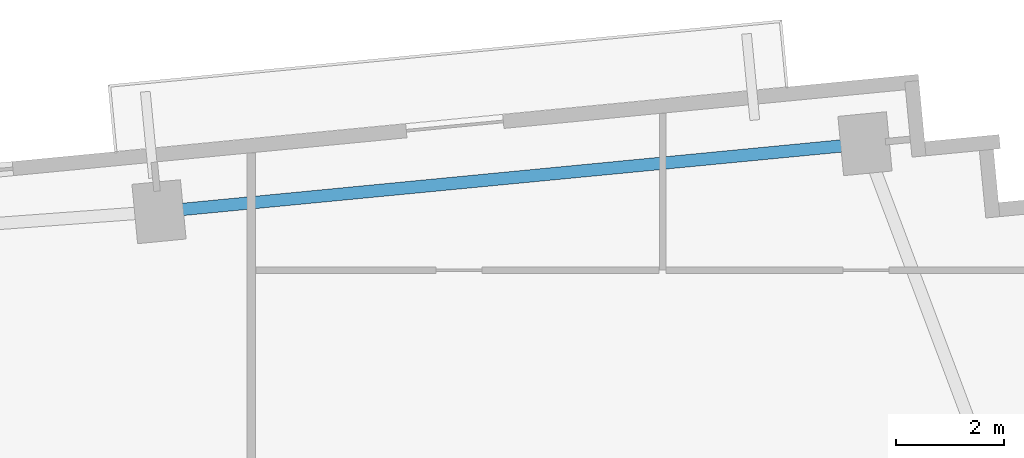
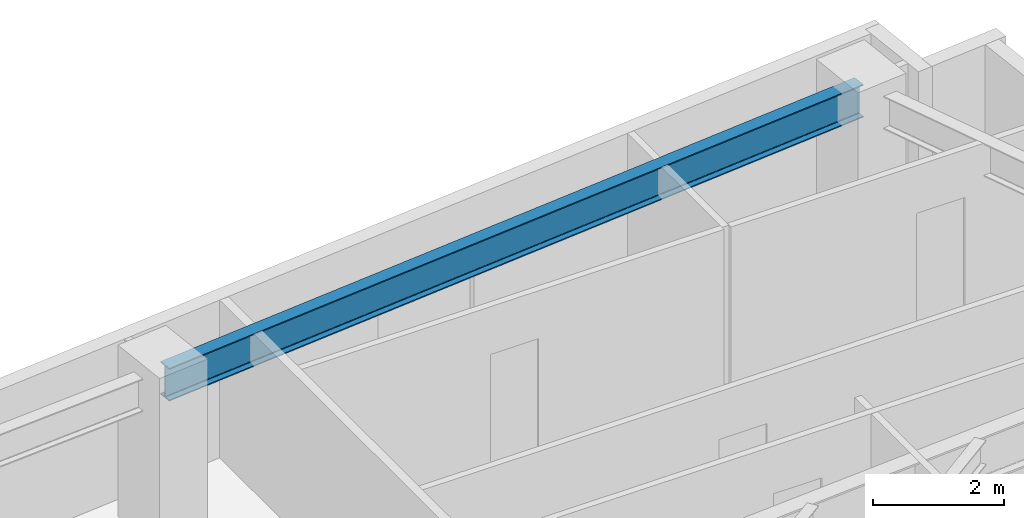
# One storey, part 18 of 27: 1 beam.
"""IFC4 building model written with IfcOpenShell, lengths in metres."""

from ifc_helpers import new_model, si_unit, direction, frame, origin, origin_2d, place, context, subcontext, project, spatial, i_section, extrude, source, transform, mapped, material, material_profile, profile_set, type_object, type_shapes, element, save


model = new_model("IFC4")

# Units and contexts
model_context = context("Model", 3, precision=1e-05, world=origin(), true_north=direction((0.0, 1.0)))
body_context = subcontext(model_context, "Body", "Model", "MODEL_VIEW")
ifc_project = project(units=[si_unit("LENGTHUNIT", "METRE"), si_unit("AREAUNIT", "SQUARE_METRE"), si_unit("VOLUMEUNIT", "CUBIC_METRE"), si_unit("PLANEANGLEUNIT", "RADIAN"), si_unit("MASSUNIT", "GRAM", prefix="KILO")], contexts=[model_context])

# Site, building, storey
site_placement = place(None, origin())
site = spatial("IfcSite", under=ifc_project, at=site_placement, CompositionType="ELEMENT")
building_placement = place(site_placement, origin())
building = spatial("IfcBuilding", under=site, at=building_placement, Name="Astriad Promenade Condominiums", CompositionType="ELEMENT")
storey_placement = place(building_placement, frame((0.0, 0.0, 84.199951171875)))
storey = spatial("IfcBuildingStorey", under=building, at=storey_placement, Name="L23", CompositionType="ELEMENT", Elevation=84.199951171875)

# Beam
ifc_material = material(Name="Steel ASTM A992 Grade 50", Category="steel")
ifc_material_profile = material_profile(ifc_material, i_section(OverallWidth=0.22900390625, OverallDepth=0.612060546875, WebThickness=0.011962890625, FlangeThickness=0.01953125, FilletRadius=0.017822265625, at=origin_2d()), Name="W24X84")
ifc_profile_set = profile_set([ifc_material_profile], Name="Steel ASTM A992 Grade 50")
beam_type = type_object("IfcBeamType", Name="STEEL SPANDREL BEAM W24X84", PredefinedType="SPANDREL", material=ifc_profile_set)
shared_shape = source(origin(), body_context, "Body", "SweptSolid", [
    extrude(i_section(OverallWidth=0.22900390625, OverallDepth=0.612060546875, WebThickness=0.011962890625, FlangeThickness=0.01953125, FilletRadius=0.017822265625, at=origin_2d()), origin(), (0.0, 0.0, 1.0), 13.020263671875),
])
type_shapes(beam_type, [shared_shape])
beam_placement = place(storey_placement, frame((64.394287109375, 27.5869140625, 2.634033203125), z_axis=(-0.995395311238, -0.095854965264, 0.0), x_axis=(0.095854965264, -0.995395311238, 0.0)))
element("IfcBeam", 1, at=beam_placement, inside=storey, type_object=beam_type, Name="Perimeter Spandrel Beam SP-N4-L23", PredefinedType="SPANDREL", context=body_context, shape_type="MappedRepresentation", body=[
    mapped(shared_shape, transform((0.0, 0.0, 0.0), scale=1.0)),
])

save(model, "model.ifc")
